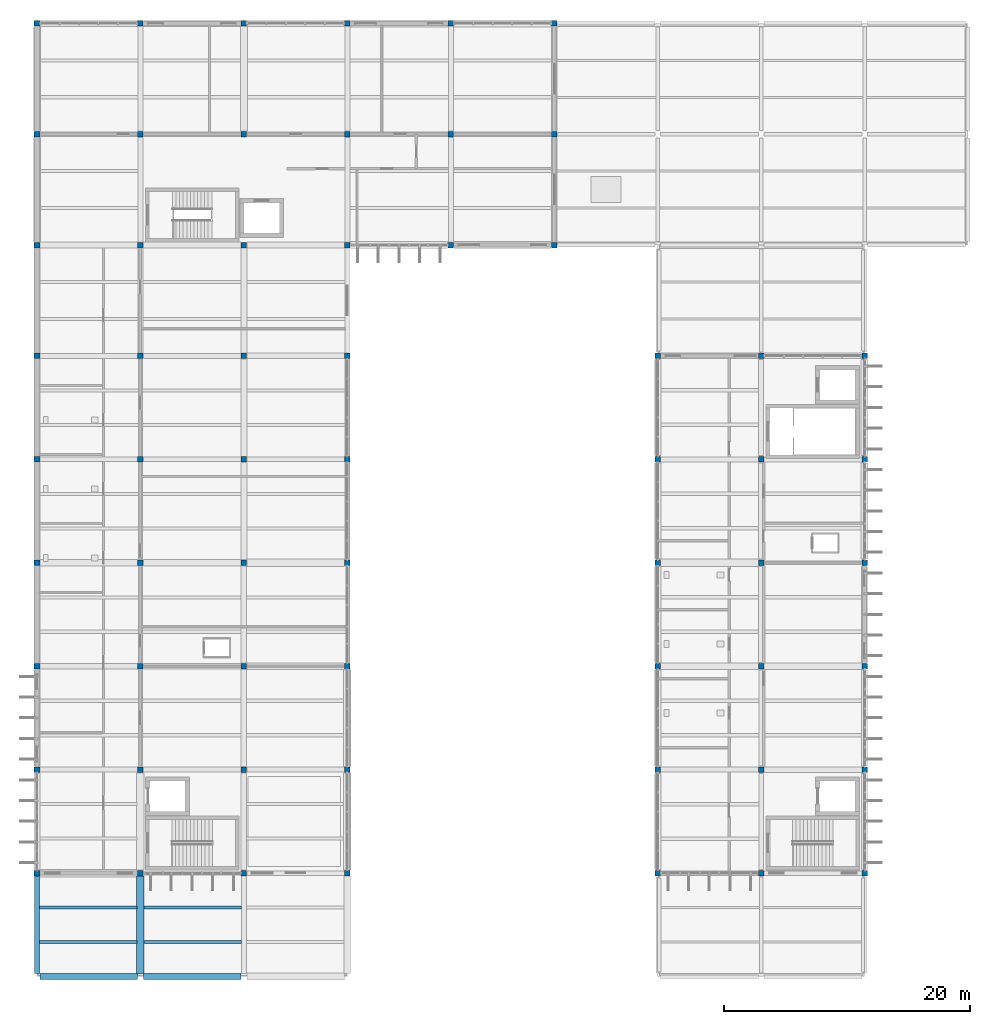
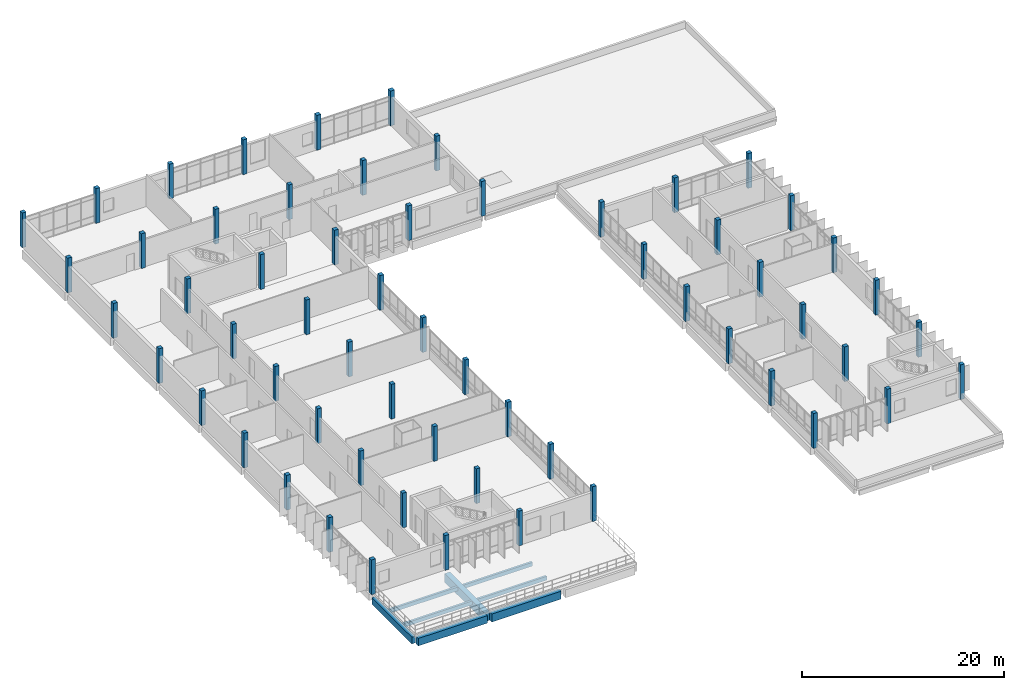
# One storey, part 1 of 62: 60 columns, 8 beams.
"""IFC4 building model written with IfcOpenShell, lengths in metres."""

from ifc_helpers import new_model, si_unit, direction, frame, origin, origin_2d, place, context, subcontext, project, spatial, rectangle, extrude, material, material_profile, profile_set, type_object, element, save


model = new_model("IFC4")

# Units and contexts
model_context = context("Model", 3, precision=1e-05, world=origin(), true_north=direction((0.0, 1.0)))
body_context = subcontext(model_context, "Body", "Model", "MODEL_VIEW")
ifc_project = project(units=[si_unit("LENGTHUNIT", "METRE"), si_unit("AREAUNIT", "SQUARE_METRE"), si_unit("VOLUMEUNIT", "CUBIC_METRE"), si_unit("PLANEANGLEUNIT", "RADIAN"), si_unit("MASSUNIT", "GRAM", prefix="KILO")], contexts=[model_context])

# Site, building, storey
site_placement = place(None, origin())
site = spatial("IfcSite", under=ifc_project, at=site_placement, CompositionType="ELEMENT")
building_placement = place(site_placement, origin())
building = spatial("IfcBuilding", under=site, at=building_placement, Name="Vireocrest Preparatory School", CompositionType="ELEMENT")
storey_placement = place(building_placement, frame((0.0, 0.0, 17.39990234375)))
storey = spatial("IfcBuildingStorey", under=building, at=storey_placement, Name="L04", CompositionType="ELEMENT", Elevation=17.39990234375)

# Columns
ifc_material_1 = material(Name="Concrete 45 MPa", Category="concrete")
ifc_material_profile_1 = material_profile(ifc_material_1, rectangle(XDim=0.449951171875, YDim=0.449951171875, at=origin_2d()), Name="RC 450x450")
ifc_profile_set_1 = profile_set([ifc_material_profile_1], Name="Concrete 45 MPa")
column_type = type_object("IfcColumnType", Name="RC Column 450x450", PredefinedType="COLUMN", material=ifc_profile_set_1)
for number, where, z_axis, x_axis, name in (
    (1, (42.0, 43.800048828125, 0.0), (0.0, 0.0, 1.0), (1.0, 0.0, 0.0), "Column C02 L04 6/F"),
    (2, (42.0, 52.199951171875, 0.0), (0.0, 0.0, 1.0), (1.0, 0.0, 0.0), "Column C02 L04 6/G"),
    (3, (42.0, 60.60009765625, 0.0), (0.0, 0.0, 1.0), (1.0, 0.0, 0.0), "Column C02 L04 6/H"),
    (4, (42.0, 69.0, 0.0), (0.0, 0.0, 1.0), (1.0, 0.0, 0.0), "Column C02 L04 6/J"),
    (5, (42.0, 77.39990234375, 0.0), (0.0, 0.0, 1.0), (1.0, 0.0, 0.0), "Column C02 L04 6/K"),
    (6, (42.0, 85.800048828125, 0.0), (0.0, 0.0, 1.0), (1.0, 0.0, 0.0), "Column C02 L04 6/L"),
    (7, (42.0, 94.800048828125, 0.0), (0.0, 0.0, 1.0), (1.0, 0.0, 0.0), "Column C02 L04 6/M"),
    (8, (42.0, 103.800048828125, 0.0), (0.0, 0.0, 1.0), (1.0, 0.0, 0.0), "Column C02 L04 6/N"),
    (9, (42.0, 112.800048828125, 0.0), (0.0, 0.0, 1.0), (1.0, 0.0, 0.0), "Column C02 L04 6/P"),
    (10, (50.39990234375, 43.800048828125, 0.0), (0.0, 0.0, 1.0), (1.0, 0.0, 0.0), "Column C02 L04 7/F"),
    (11, (50.39990234375, 52.199951171875, 0.0), (0.0, 0.0, 1.0), (1.0, 0.0, 0.0), "Column C02 L04 7/G"),
    (12, (50.39990234375, 60.60009765625, 0.0), (0.0, 0.0, 1.0), (1.0, 0.0, 0.0), "Column C02 L04 7/H"),
    (13, (50.39990234375, 69.0, 0.0), (0.0, 0.0, 1.0), (1.0, 0.0, 0.0), "Column C02 L04 7/J"),
    (14, (50.39990234375, 77.39990234375, 0.0), (0.0, 0.0, 1.0), (1.0, 0.0, 0.0), "Column C02 L04 7/K"),
    (15, (50.39990234375, 85.800048828125, 0.0), (0.0, 0.0, 1.0), (1.0, 0.0, 0.0), "Column C02 L04 7/L"),
    (16, (50.39990234375, 94.800048828125, 0.0), (0.0, 0.0, 1.0), (1.0, 0.0, 0.0), "Column C02 L04 7/M"),
    (17, (50.39990234375, 103.800048828125, 0.0), (0.0, 0.0, 1.0), (1.0, 0.0, 0.0), "Column C02 L04 7/N"),
    (18, (50.39990234375, 112.800048828125, 0.0), (0.0, 0.0, 1.0), (1.0, 0.0, 0.0), "Column C02 L04 7/P"),
    (19, (58.800048828125, 43.800048828125, 0.0), (0.0, 0.0, 1.0), (1.0, 0.0, 0.0), "Column C02 L04 8/F"),
    (20, (58.800048828125, 52.199951171875, 0.0), (0.0, 0.0, 1.0), (1.0, 0.0, 0.0), "Column C02 L04 8/G"),
    (21, (58.800048828125, 60.60009765625, 0.0), (0.0, 0.0, 1.0), (1.0, 0.0, 0.0), "Column C02 L04 8/H"),
    (22, (58.800048828125, 69.0, 0.0), (0.0, 0.0, 1.0), (1.0, 0.0, 0.0), "Column C02 L04 8/J"),
    (23, (58.800048828125, 77.39990234375, 0.0), (0.0, 0.0, 1.0), (1.0, 0.0, 0.0), "Column C02 L04 8/K"),
    (24, (58.800048828125, 85.800048828125, 0.0), (0.0, 0.0, 1.0), (1.0, 0.0, 0.0), "Column C02 L04 8/L"),
    (25, (58.800048828125, 94.800048828125, 0.0), (0.0, 0.0, 1.0), (1.0, 0.0, 0.0), "Column C02 L04 8/M"),
    (26, (58.800048828125, 103.800048828125, 0.0), (0.0, 0.0, 1.0), (1.0, 0.0, 0.0), "Column C02 L04 8/N"),
    (27, (58.800048828125, 112.800048828125, 0.0), (0.0, 0.0, 1.0), (1.0, 0.0, 0.0), "Column C02 L04 8/P"),
    (28, (67.199951171875, 43.800048828125, 0.0), (0.0, 0.0, 1.0), (1.0, 0.0, 0.0), "Column C02 L04 9/F"),
    (29, (67.199951171875, 52.199951171875, 0.0), (0.0, 0.0, 1.0), (1.0, 0.0, 0.0), "Column C02 L04 9/G"),
    (30, (67.199951171875, 60.60009765625, 0.0), (0.0, 0.0, 1.0), (1.0, 0.0, 0.0), "Column C02 L04 9/H"),
    (31, (67.199951171875, 69.0, 0.0), (0.0, 0.0, 1.0), (1.0, 0.0, 0.0), "Column C02 L04 9/J"),
    (32, (67.199951171875, 77.39990234375, 0.0), (0.0, 0.0, 1.0), (1.0, 0.0, 0.0), "Column C02 L04 9/K"),
    (33, (67.199951171875, 85.800048828125, 0.0), (0.0, 0.0, 1.0), (1.0, 0.0, 0.0), "Column C02 L04 9/L"),
    (34, (67.199951171875, 94.800048828125, 0.0), (0.0, 0.0, 1.0), (1.0, 0.0, 0.0), "Column C02 L04 9/M"),
    (35, (67.199951171875, 103.800048828125, 0.0), (0.0, 0.0, 1.0), (1.0, 0.0, 0.0), "Column C02 L04 9/N"),
    (36, (67.199951171875, 112.800048828125, 0.0), (0.0, 0.0, 1.0), (1.0, 0.0, 0.0), "Column C02 L04 9/P"),
    (37, (75.60009765625, 94.800048828125, 0.0), (0.0, 0.0, 1.0), (1.0, 0.0, 0.0), "Column C02 L04 10/M"),
    (38, (75.60009765625, 103.800048828125, 0.0), (0.0, 0.0, 1.0), (1.0, 0.0, 0.0), "Column C02 L04 10/N"),
    (39, (75.60009765625, 112.800048828125, 0.0), (0.0, 0.0, 1.0), (1.0, 0.0, 0.0), "Column C02 L04 10/P"),
    (40, (84.0, 94.800048828125, 0.0), (0.0, 0.0, 1.0), (1.0, 0.0, 0.0), "Column C02 L04 11/M"),
    (41, (84.0, 103.800048828125, 0.0), (0.0, 0.0, 1.0), (1.0, 0.0, 0.0), "Column C02 L04 11/N"),
    (42, (84.0, 112.800048828125, 0.0), (0.0, 0.0, 1.0), (1.0, 0.0, 0.0), "Column C02 L04 11/P"),
    (43, (92.39990234375, 43.800048828125, 0.0), (0.0, 0.0, 1.0), (1.0, 0.0, 0.0), "Column C02 L04 12/F"),
    (44, (92.39990234375, 52.199951171875, 0.0), (0.0, 0.0, 1.0), (1.0, 0.0, 0.0), "Column C02 L04 12/G"),
    (45, (92.39990234375, 60.60009765625, 0.0), (0.0, 0.0, 1.0), (1.0, 0.0, 0.0), "Column C02 L04 12/H"),
    (46, (92.39990234375, 69.0, 0.0), (0.0, 0.0, 1.0), (1.0, 0.0, 0.0), "Column C02 L04 12/J"),
    (47, (92.39990234375, 77.39990234375, 0.0), (0.0, 0.0, 1.0), (1.0, 0.0, 0.0), "Column C02 L04 12/K"),
    (48, (92.39990234375, 85.800048828125, 0.0), (0.0, 0.0, 1.0), (1.0, 0.0, 0.0), "Column C02 L04 12/L"),
    (49, (100.800048828125, 43.800048828125, 0.0), (0.0, 0.0, 1.0), (1.0, 0.0, 0.0), "Column C02 L04 13/F"),
    (50, (100.800048828125, 52.199951171875, 0.0), (0.0, 0.0, 1.0), (1.0, 0.0, 0.0), "Column C02 L04 13/G"),
    (51, (100.800048828125, 60.60009765625, 0.0), (0.0, 0.0, 1.0), (1.0, 0.0, 0.0), "Column C02 L04 13/H"),
    (52, (100.800048828125, 69.0, 0.0), (0.0, 0.0, 1.0), (1.0, 0.0, 0.0), "Column C02 L04 13/J"),
    (53, (100.800048828125, 77.39990234375, 0.0), (0.0, 0.0, 1.0), (1.0, 0.0, 0.0), "Column C02 L04 13/K"),
    (54, (100.800048828125, 85.800048828125, 0.0), (0.0, 0.0, 1.0), (1.0, 0.0, 0.0), "Column C02 L04 13/L"),
    (55, (109.199951171875, 43.800048828125, 0.0), (0.0, 0.0, 1.0), (1.0, 0.0, 0.0), "Column C02 L04 14/F"),
    (56, (109.199951171875, 52.199951171875, 0.0), (0.0, 0.0, 1.0), (1.0, 0.0, 0.0), "Column C02 L04 14/G"),
    (57, (109.199951171875, 60.60009765625, 0.0), (0.0, 0.0, 1.0), (1.0, 0.0, 0.0), "Column C02 L04 14/H"),
    (58, (109.199951171875, 69.0, 0.0), (0.0, 0.0, 1.0), (1.0, 0.0, 0.0), "Column C02 L04 14/J"),
    (59, (109.199951171875, 77.39990234375, 0.0), (0.0, 0.0, 1.0), (1.0, 0.0, 0.0), "Column C02 L04 14/K"),
    (60, (109.199951171875, 85.800048828125, 0.0), (0.0, 0.0, 1.0), (1.0, 0.0, 0.0), "Column C02 L04 14/L"),
):
    element("IfcColumn", number, at=place(storey_placement, frame(where, z_axis=z_axis, x_axis=x_axis)), inside=storey, type_object=column_type, Name=name, PredefinedType="COLUMN", context=body_context, shape_type="SweptSolid", body=[
        extrude(rectangle(XDim=0.449951171875, YDim=0.449951171875, at=origin_2d()), origin(), (0.0, 0.0, 1.0), 4.2001953125),
    ])

# Beams
ifc_material_2 = material(Name="Concrete 40 MPa", Category="concrete")
ifc_material_profile_2 = material_profile(ifc_material_2, rectangle(XDim=0.5, YDim=0.949951171875, at=origin_2d()), Name="RC 500x950")
ifc_profile_set_2 = profile_set([ifc_material_profile_2], Name="Concrete 40 MPa")
beam_type_1 = type_object("IfcBeamType", Name="RC Basement Ceiling Girder 500x950", PredefinedType="BEAM", material=ifc_profile_set_2)
beam_1_placement = place(storey_placement, frame((50.64990234375, 35.39990234375, -0.794921875), z_axis=(1.0, 0.0, 0.0), x_axis=(0.0, 1.0, 0.0)))
element("IfcBeam", 61, at=beam_1_placement, inside=storey, type_object=beam_type_1, Name="Primary Girder B16 L04-1292", PredefinedType="BEAM", context=body_context, shape_type="SweptSolid", body=[
    extrude(rectangle(XDim=0.5, YDim=0.949951171875, at=origin_2d()), origin(), (0.0, 0.0, 1.0), 7.900146484375),
])
ifc_material_profile_3 = material_profile(ifc_material_2, rectangle(XDim=0.39990234375, YDim=0.800048828125, at=origin_2d()), Name="RC 400x800")
ifc_profile_set_3 = profile_set([ifc_material_profile_3], Name="Concrete 40 MPa")
beam_type_2 = type_object("IfcBeamType", Name="RC Library Reading Girder 400x800", PredefinedType="BEAM", material=ifc_profile_set_3)
beam_2_placement = place(storey_placement, frame((42.0, 35.64990234375, -0.719970703125), z_axis=(0.0, 1.0, 0.0), x_axis=(-1.0, 0.0, 0.0)))
element("IfcBeam", 62, at=beam_2_placement, inside=storey, type_object=beam_type_2, Name="Primary Girder B10 L04-1353", PredefinedType="BEAM", context=body_context, shape_type="SweptSolid", body=[
    extrude(rectangle(XDim=0.39990234375, YDim=0.800048828125, at=origin_2d()), origin(), (0.0, 0.0, 1.0), 7.900146484375),
])
ifc_material_profile_4 = material_profile(ifc_material_2, rectangle(XDim=0.5, YDim=0.89990234375, at=origin_2d()), Name="RC 500x900")
ifc_profile_set_4 = profile_set([ifc_material_profile_4], Name="Concrete 40 MPa")
beam_type_3 = type_object("IfcBeamType", Name="RC Podium Girder 500x900", PredefinedType="BEAM", material=ifc_profile_set_4)
beam_3_placement = place(storey_placement, frame((42.25, 35.39990234375, -0.77001953125), z_axis=(1.0, 0.0, 0.0), x_axis=(0.0, 1.0, 0.0)))
element("IfcBeam", 63, at=beam_3_placement, inside=storey, type_object=beam_type_3, Name="Primary Girder B15 L04-1291", PredefinedType="BEAM", context=body_context, shape_type="SweptSolid", body=[
    extrude(rectangle(XDim=0.5, YDim=0.89990234375, at=origin_2d()), origin(), (0.0, 0.0, 1.0), 7.89990234375),
])
ifc_material_profile_5 = material_profile(ifc_material_2, rectangle(XDim=0.25, YDim=0.449951171875, at=origin_2d()), Name="RC 250x450")
ifc_profile_set_5 = profile_set([ifc_material_profile_5], Name="Concrete 40 MPa")
beam_type_4 = type_object("IfcBeamType", Name="RC Secondary Floor Joist 250x450", PredefinedType="JOIST", material=ifc_profile_set_5)
for number, where, z_axis, x_axis, name in (
    (64, (42.199951171875, 38.199951171875, -0.544921875), (1.0, 0.0, 0.0), (0.0, 1.0, 0.0), "Secondary Joist J01 L04-1421"),
    (65, (42.199951171875, 41.0, -0.544921875), (1.0, 0.0, 0.0), (0.0, 1.0, 0.0), "Secondary Joist J01 L04-1422"),
    (66, (50.699951171875, 38.199951171875, -0.544921875), (1.0, 0.0, 0.0), (0.0, 1.0, 0.0), "Secondary Joist J01 L04-1439"),
    (67, (50.699951171875, 41.0, -0.544921875), (1.0, 0.0, 0.0), (0.0, 1.0, 0.0), "Secondary Joist J01 L04-1440"),
):
    element("IfcBeam", number, at=place(storey_placement, frame(where, z_axis=z_axis, x_axis=x_axis)), inside=storey, type_object=beam_type_4, Name=name, PredefinedType="JOIST", context=body_context, shape_type="SweptSolid", body=[
        extrude(rectangle(XDim=0.25, YDim=0.449951171875, at=origin_2d()), origin(), (0.0, 0.0, 1.0), 7.900146484375),
    ])
ifc_material_profile_6 = material_profile(ifc_material_2, rectangle(XDim=0.60009765625, YDim=1.050048828125, at=origin_2d()), Name="RC 600x1050")
ifc_profile_set_6 = profile_set([ifc_material_profile_6], Name="Concrete 40 MPa")
beam_type_5 = type_object("IfcBeamType", Name="RC Transfer Girder 600x1050", PredefinedType="BEAM", material=ifc_profile_set_6)
beam_4_placement = place(storey_placement, frame((50.39990234375, 35.64990234375, -0.844970703125), z_axis=(0.0, 1.0, 0.0), x_axis=(-1.0, 0.0, 0.0)))
element("IfcBeam", 68, at=beam_4_placement, inside=storey, type_object=beam_type_5, Name="Primary Girder B19 L04-1362", PredefinedType="BEAM", context=body_context, shape_type="SweptSolid", body=[
    extrude(rectangle(XDim=0.60009765625, YDim=1.050048828125, at=origin_2d()), origin(), (0.0, 0.0, 1.0), 7.900146484375),
])

save(model, "model.ifc")
